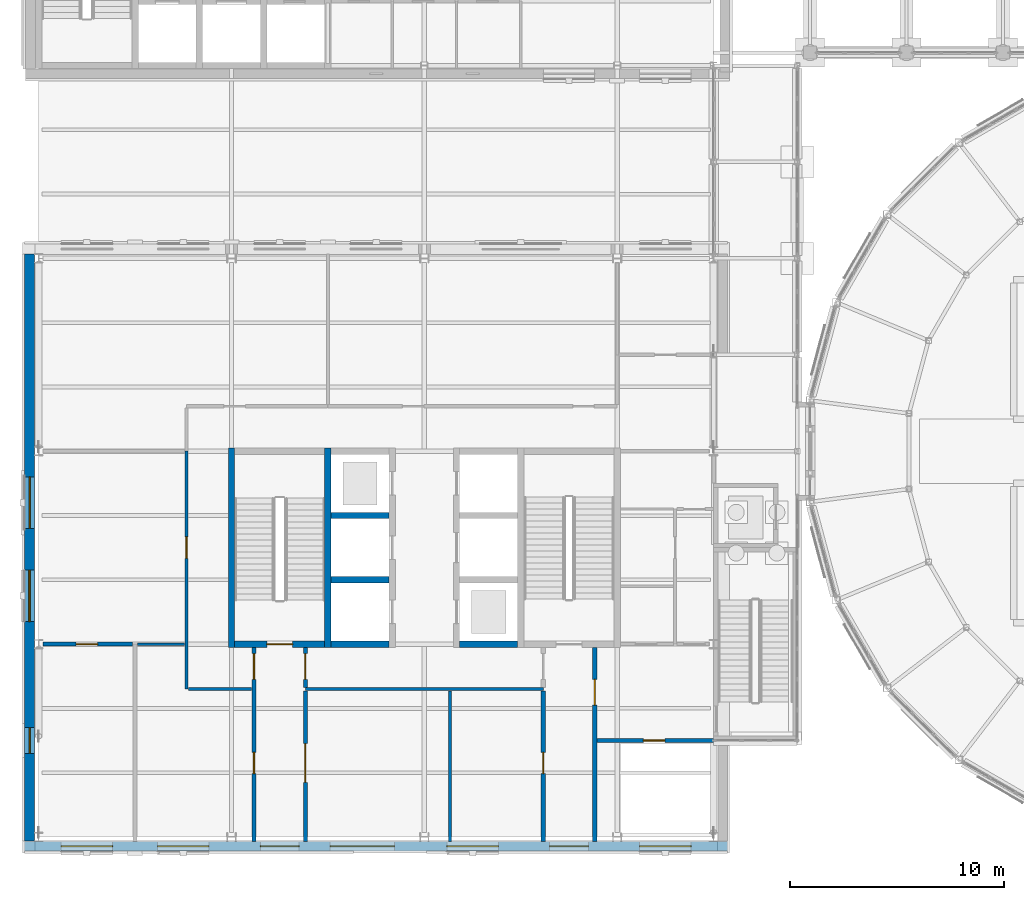
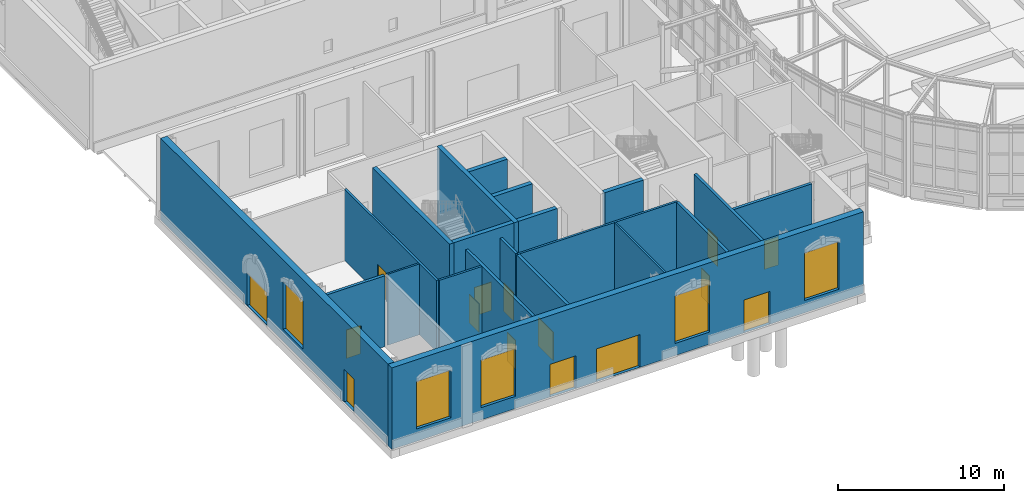
# One storey, part 67 of 106: 21 walls, 15 doors, 5 windows, 20 openings.
"""IFC4 building model written with IfcOpenShell, lengths in metres."""

from ifc_helpers import new_model, si_unit, direction, frame, frame_2d, origin, place, context, subcontext, project, spatial, rectangle, extrude, material, layer, layer_set, type_object, element, fill, save


model = new_model("IFC4")

# Units and contexts
model_context = context("Model", 3, precision=1e-05, world=origin(), true_north=direction((0.0, 1.0)))
body_context = subcontext(model_context, "Body", "Model", "MODEL_VIEW")
ifc_project = project(units=[si_unit("LENGTHUNIT", "METRE"), si_unit("AREAUNIT", "SQUARE_METRE"), si_unit("VOLUMEUNIT", "CUBIC_METRE"), si_unit("PLANEANGLEUNIT", "RADIAN"), si_unit("MASSUNIT", "GRAM", prefix="KILO")], contexts=[model_context])

# Site, building, storey
site_placement = place(None, origin())
site = spatial("IfcSite", under=ifc_project, at=site_placement, CompositionType="ELEMENT")
building_placement = place(site_placement, origin())
building = spatial("IfcBuilding", under=site, at=building_placement, Name="Hortulan Conservatory and Botanical Research Centre", CompositionType="ELEMENT")
storey_placement = place(building_placement, origin())
storey = spatial("IfcBuildingStorey", under=building, at=storey_placement, Name="L00", CompositionType="ELEMENT", Elevation=0.0)

# Wall, openings, doors
ifc_material_1 = material(Name="Fire-rated plasterboard on steel studs", Category="steel")
ifc_layer_1 = layer(ifc_material_1, 0.199951171875)
ifc_layer_set_1 = layer_set([ifc_layer_1], Name="Compartment Partition 200")
wall_type_1 = type_object("IfcWallType", Name="Compartment Partition 200", PredefinedType="PARTITIONING", material=ifc_layer_set_1)
wall_1_placement = place(storey_placement, frame((10.050048828125, -0.200927734375, 0.0), z_axis=(0.0, 0.0, 1.0), x_axis=(0.0, 1.0, 0.0)))
wall_1 = element("IfcWall", 1, at=wall_1_placement, inside=storey, type_object=wall_type_1, Name="Stair enclosure wall", PredefinedType="PARTITIONING", context=body_context, shape_type="SweptSolid", body=[
    extrude(rectangle(XDim=9.041015625, YDim=0.199951171875, at=frame_2d((4.5205078125, 0.0))), origin(), (0.0, 0.0, 1.0), 5.218017578125),
])
opening_1_placement = place(wall_1_placement, frame((7.551025390625, 0.0, 0.0)))
opening_1 = element("IfcOpeningElement", 2, at=opening_1_placement, cuts=wall_1, Name="Opening DT5", PredefinedType="OPENING", context=body_context, shape_type="SweptSolid", body=[
    extrude(rectangle(XDim=1.199951171875, YDim=2.10009765625, at=frame_2d((0.60009765625, 1.050048828125))), frame((0.0, 0.10986328125, 0.0), z_axis=(0.0, -1.0, 0.0), x_axis=(1.0, 0.0, 0.0)), (0.0, 0.0, 1.0), 0.219970703125),
])
opening_2_placement = place(wall_1_placement, frame((3.15087890625, 0.0, 0.0)))
opening_2 = element("IfcOpeningElement", 3, at=opening_2_placement, cuts=wall_1, Name="Opening DT1", PredefinedType="OPENING", context=body_context, shape_type="SweptSolid", body=[
    extrude(rectangle(XDim=1.0, YDim=2.10009765625, at=frame_2d((0.5, 1.050048828125))), frame((0.0, 0.10986328125, 0.0), z_axis=(0.0, -1.0, 0.0), x_axis=(1.0, 0.0, 0.0)), (0.0, 0.0, 1.0), 0.219970703125),
])
ifc_material_2 = material(Name="Timber door leaf in timber frame", Category="wood")
door_type_1 = type_object("IfcDoorType", Name="Single Door 1000x2100", OperationType="NOTDEFINED", PredefinedType="DOOR", material=ifc_material_2)
door_1_placement = place(opening_2_placement, origin())
door_1 = element("IfcDoor", 4, at=door_1_placement, inside=storey, type_object=door_type_1, Name="Door DT1 Security Control Room", OperationType="SINGLE_SWING_RIGHT", OverallHeight=2.10009765625, OverallWidth=1.0, PredefinedType="DOOR", context=body_context, shape_type="SweptSolid", body=[
    extrude(rectangle(XDim=1.0, YDim=2.10009765625, at=frame_2d((0.5, 1.050048828125))), frame((0.0, 0.02490234375, 0.0), z_axis=(0.0, -1.0, 0.0), x_axis=(1.0, 0.0, 0.0)), (0.0, 0.0, 1.0), 0.050048828125),
])
fill(opening_2, door_1)
ifc_material_3 = material(Name="Steel door leaf, insulated", Category="steel")
door_type_2 = type_object("IfcDoorType", Name="Stair Door 1200x2100 FRL -/120/30", OperationType="NOTDEFINED", PredefinedType="DOOR", material=ifc_material_3)
door_2_placement = place(opening_1_placement, frame((1.199951171875, 0.0, 0.0), z_axis=(0.0, 0.0, 1.0), x_axis=(-1.0, 0.0, 0.0)))
door_2 = element("IfcDoor", 5, at=door_2_placement, inside=storey, type_object=door_type_2, Name="Door DT5 Corridor South 1", OperationType="SINGLE_SWING_RIGHT", OverallHeight=2.10009765625, OverallWidth=1.199951171875, PredefinedType="DOOR", context=body_context, shape_type="SweptSolid", body=[
    extrude(rectangle(XDim=1.199951171875, YDim=2.10009765625, at=frame_2d((0.60009765625, 1.050048828125))), frame((0.0, 0.02490234375, 0.0), z_axis=(0.0, -1.0, 0.0), x_axis=(1.0, 0.0, 0.0)), (0.0, 0.0, 1.0), 0.050048828125),
])
fill(opening_1, door_2)

# Wall, opening, door
wall_2_placement = place(storey_placement, frame((12.449951171875, -0.200927734375, 0.0), z_axis=(0.0, 0.0, 1.0), x_axis=(0.0, 1.0, 0.0)))
wall_2 = element("IfcWall", 6, at=wall_2_placement, inside=storey, type_object=wall_type_1, Name="Stair enclosure wall", PredefinedType="PARTITIONING", context=body_context, shape_type="SweptSolid", body=[
    extrude(rectangle(XDim=7.015869140625, YDim=0.199951171875, at=frame_2d((3.5078125, 0.0))), origin(), (0.0, 0.0, 1.0), 5.218017578125),
])
opening_3_placement = place(wall_2_placement, frame((2.7509765625, 0.0, 0.0)))
opening_3 = element("IfcOpeningElement", 7, at=opening_3_placement, cuts=wall_2, Name="Opening DT2", PredefinedType="OPENING", context=body_context, shape_type="SweptSolid", body=[
    extrude(rectangle(XDim=1.800048828125, YDim=2.10009765625, at=frame_2d((0.89990234375, 1.050048828125))), frame((0.0, 0.10986328125, 0.0), z_axis=(0.0, -1.0, 0.0), x_axis=(1.0, 0.0, 0.0)), (0.0, 0.0, 1.0), 0.219970703125),
])
door_type_3 = type_object("IfcDoorType", Name="Double Door 1800x2100", OperationType="DOUBLE_DOOR_SINGLE_SWING", PredefinedType="DOOR", material=ifc_material_2)
door_3_placement = place(opening_3_placement, frame((1.800048828125, 0.0, 0.0), z_axis=(0.0, 0.0, 1.0), x_axis=(-1.0, 0.0, 0.0)))
door_3 = element("IfcDoor", 8, at=door_3_placement, inside=storey, type_object=door_type_3, Name="Door DT2 Goods Entrance Hall", OperationType="DOUBLE_DOOR_SINGLE_SWING", OverallHeight=2.10009765625, OverallWidth=1.800048828125, PredefinedType="DOOR", context=body_context, shape_type="SweptSolid", body=[
    extrude(rectangle(XDim=1.800048828125, YDim=2.10009765625, at=frame_2d((0.89990234375, 1.050048828125))), frame((0.0, 0.02490234375, 0.0), z_axis=(0.0, -1.0, 0.0), x_axis=(1.0, 0.0, 0.0)), (0.0, 0.0, 1.0), 0.050048828125),
])
fill(opening_3, door_3)

wall_3_placement = place(storey_placement, frame((12.449951171875, 6.985107421875, 0.0), z_axis=(0.0, 0.0, 1.0), x_axis=(0.0, 1.0, 0.0)))
wall_3 = element("IfcWall", 9, at=wall_3_placement, inside=storey, type_object=wall_type_1, Name="Stair enclosure wall", PredefinedType="PARTITIONING", context=body_context, shape_type="SweptSolid", body=[
    extrude(rectangle(XDim=1.85498046875, YDim=0.199951171875, at=frame_2d((0.927490234375, 0.0))), origin(), (0.0, 0.0, 1.0), 5.218017578125),
])
opening_4_placement = place(wall_3_placement, frame((0.364990234375, 0.0, 0.0)))
opening_4 = element("IfcOpeningElement", 10, at=opening_4_placement, cuts=wall_3, Name="Opening DT5", PredefinedType="OPENING", context=body_context, shape_type="SweptSolid", body=[
    extrude(rectangle(XDim=1.199951171875, YDim=2.10009765625, at=frame_2d((0.60009765625, 1.050048828125))), frame((0.0, 0.10986328125, 0.0), z_axis=(0.0, -1.0, 0.0), x_axis=(1.0, 0.0, 0.0)), (0.0, 0.0, 1.0), 0.219970703125),
])
door_4_placement = place(opening_4_placement, origin())
door_4 = element("IfcDoor", 11, at=door_4_placement, inside=storey, type_object=door_type_2, Name="Door DT5 Corridor South 2", OperationType="SINGLE_SWING_RIGHT", OverallHeight=2.10009765625, OverallWidth=1.199951171875, PredefinedType="DOOR", context=body_context, shape_type="SweptSolid", body=[
    extrude(rectangle(XDim=1.199951171875, YDim=2.10009765625, at=frame_2d((0.60009765625, 1.050048828125))), frame((0.0, 0.02490234375, 0.0), z_axis=(0.0, -1.0, 0.0), x_axis=(1.0, 0.0, 0.0)), (0.0, 0.0, 1.0), 0.050048828125),
])
fill(opening_4, door_4)

wall_4_placement = place(storey_placement, frame((23.550048828125, -0.200927734375, 0.0), z_axis=(0.0, 0.0, 1.0), x_axis=(0.0, 1.0, 0.0)))
wall_4 = element("IfcWall", 12, at=wall_4_placement, inside=storey, type_object=wall_type_1, Name="Stair enclosure wall", PredefinedType="PARTITIONING", context=body_context, shape_type="SweptSolid", body=[
    extrude(rectangle(XDim=7.015869140625, YDim=0.199951171875, at=frame_2d((3.5078125, 0.0))), origin(), (0.0, 0.0, 1.0), 5.218017578125),
])
opening_5_placement = place(wall_4_placement, frame((3.15087890625, 0.0, 0.0)))
opening_5 = element("IfcOpeningElement", 13, at=opening_5_placement, cuts=wall_4, Name="Opening DT1", PredefinedType="OPENING", context=body_context, shape_type="SweptSolid", body=[
    extrude(rectangle(XDim=1.0, YDim=2.10009765625, at=frame_2d((0.5, 1.050048828125))), frame((0.0, 0.10986328125, 0.0), z_axis=(0.0, -1.0, 0.0), x_axis=(1.0, 0.0, 0.0)), (0.0, 0.0, 1.0), 0.219970703125),
])
door_5_placement = place(opening_5_placement, origin())
door_5 = element("IfcDoor", 14, at=door_5_placement, inside=storey, type_object=door_type_1, Name="Door DT1 Botanical Illustration Gallery", OperationType="SINGLE_SWING_RIGHT", OverallHeight=2.10009765625, OverallWidth=1.0, PredefinedType="DOOR", context=body_context, shape_type="SweptSolid", body=[
    extrude(rectangle(XDim=1.0, YDim=2.10009765625, at=frame_2d((0.5, 1.050048828125))), frame((0.0, 0.02490234375, 0.0), z_axis=(0.0, -1.0, 0.0), x_axis=(1.0, 0.0, 0.0)), (0.0, 0.0, 1.0), 0.050048828125),
])
fill(opening_5, door_5)

wall_5_placement = place(storey_placement, frame((25.949951171875, -0.200927734375, 0.0), z_axis=(0.0, 0.0, 1.0), x_axis=(0.0, 1.0, 0.0)))
wall_5 = element("IfcWall", 15, at=wall_5_placement, inside=storey, type_object=wall_type_1, Name="Stair enclosure wall", PredefinedType="PARTITIONING", context=body_context, shape_type="SweptSolid", body=[
    extrude(rectangle(XDim=9.041015625, YDim=0.199951171875, at=frame_2d((4.5205078125, 0.0))), origin(), (0.0, 0.0, 1.0), 5.218017578125),
])
opening_6_placement = place(wall_5_placement, frame((6.35107421875, 0.0, 0.0)))
opening_6 = element("IfcOpeningElement", 16, at=opening_6_placement, cuts=wall_5, Name="Opening DT5", PredefinedType="OPENING", context=body_context, shape_type="SweptSolid", body=[
    extrude(rectangle(XDim=1.199951171875, YDim=2.10009765625, at=frame_2d((0.60009765625, 1.050048828125))), frame((0.0, 0.10986328125, 0.0), z_axis=(0.0, -1.0, 0.0), x_axis=(1.0, 0.0, 0.0)), (0.0, 0.0, 1.0), 0.219970703125),
])
door_6_placement = place(opening_6_placement, origin())
door_6 = element("IfcDoor", 17, at=door_6_placement, inside=storey, type_object=door_type_2, Name="Door DT5 Corridor South 3", OperationType="SINGLE_SWING_RIGHT", OverallHeight=2.10009765625, OverallWidth=1.199951171875, PredefinedType="DOOR", context=body_context, shape_type="SweptSolid", body=[
    extrude(rectangle(XDim=1.199951171875, YDim=2.10009765625, at=frame_2d((0.60009765625, 1.050048828125))), frame((0.0, 0.02490234375, 0.0), z_axis=(0.0, -1.0, 0.0), x_axis=(1.0, 0.0, 0.0)), (0.0, 0.0, 1.0), 0.050048828125),
])
fill(opening_6, door_6)

wall_6_placement = place(storey_placement, frame((26.06005859375, 4.5, 0.0), z_axis=(0.0, 0.0, 1.0), x_axis=(1.0, 0.0, 0.0)))
wall_6 = element("IfcWall", 18, at=wall_6_placement, inside=storey, type_object=wall_type_1, Name="Riser wall", PredefinedType="PARTITIONING", context=body_context, shape_type="SweptSolid", body=[
    extrude(rectangle(XDim=5.429931640625, YDim=0.199951171875, at=frame_2d((2.71484375, 0.0))), origin(), (0.0, 0.0, 1.0), 5.218017578125),
])
opening_7_placement = place(wall_6_placement, frame((2.1650390625, 0.0, 0.0)))
opening_7 = element("IfcOpeningElement", 19, at=opening_7_placement, cuts=wall_6, Name="Opening DT6", PredefinedType="OPENING", context=body_context, shape_type="SweptSolid", body=[
    extrude(rectangle(XDim=1.0, YDim=2.10009765625, at=frame_2d((0.5, 1.050048828125))), frame((0.0, 0.10986328125, 0.0), z_axis=(0.0, -1.0, 0.0), x_axis=(1.0, 0.0, 0.0)), (0.0, 0.0, 1.0), 0.219970703125),
])
door_type_4 = type_object("IfcDoorType", Name="Fire Door 1000x2100 FRL -/120/30", OperationType="NOTDEFINED", PredefinedType="DOOR", material=ifc_material_3)
door_7_placement = place(opening_7_placement, frame((1.0, 0.0, 0.0), z_axis=(0.0, 0.0, 1.0), x_axis=(-1.0, 0.0, 0.0)))
door_7 = element("IfcDoor", 20, at=door_7_placement, inside=storey, type_object=door_type_4, Name="Door DT6 Services Riser", OperationType="SINGLE_SWING_LEFT", OverallHeight=2.10009765625, OverallWidth=1.0, PredefinedType="DOOR", context=body_context, shape_type="SweptSolid", body=[
    extrude(rectangle(XDim=1.0, YDim=2.10009765625, at=frame_2d((0.5, 1.050048828125))), frame((0.0, 0.02490234375, 0.0), z_axis=(0.0, -1.0, 0.0), x_axis=(1.0, 0.0, 0.0)), (0.0, 0.0, 1.0), 0.050048828125),
])
fill(opening_7, door_7)

# Walls
ifc_material_4 = material(Name="Concrete N50 (50 MPa, AS 3600)", Category="concrete")
ifc_layer_2 = layer(ifc_material_4, 0.300048828125)
ifc_layer_set_2 = layer_set([ifc_layer_2], Name="Core Wall 300 N50 FRL 240/120/120")
wall_type_2 = type_object("IfcWallType", Name="Core Wall 300 N50 FRL 240/120/120", PredefinedType="SHEAR", material=ifc_layer_set_2)
for number, where, z_axis, x_axis, name in (
    (21, (9.0, 8.85009765625, 0.0), (0.0, 0.0, 1.0), (0.0, 1.0, 0.0), "Reinforced concrete shaft wall"),
    (22, (13.5, 8.85009765625, 0.0), (0.0, 0.0, 1.0), (0.0, 1.0, 0.0), "Reinforced concrete shaft wall"),
):
    element("IfcWall", number, at=place(storey_placement, frame(where, z_axis=z_axis, x_axis=x_axis)), inside=storey, type_object=wall_type_2, Name=name, PredefinedType="SHEAR", context=body_context, shape_type="SweptSolid", body=[
        extrude(rectangle(XDim=9.2998046875, YDim=0.300048828125, at=frame_2d((4.64990234375, 0.0))), origin(), (0.0, 0.0, 1.0), 6.0),
    ])

# Wall, opening, door
wall_7_placement = place(storey_placement, frame((9.14990234375, 9.0, 0.0), z_axis=(0.0, 0.0, 1.0), x_axis=(1.0, 0.0, 0.0)))
wall_7 = element("IfcWall", 23, at=wall_7_placement, inside=storey, type_object=wall_type_2, Name="Reinforced concrete shaft wall", PredefinedType="SHEAR", context=body_context, shape_type="SweptSolid", body=[
    extrude(rectangle(XDim=4.2001953125, YDim=0.300048828125, at=frame_2d((2.10009765625, 0.0))), origin(), (0.0, 0.0, 1.0), 6.0),
])
opening_8_placement = place(wall_7_placement, frame((1.5, 0.0, 0.0)))
opening_8 = element("IfcOpeningElement", 24, at=opening_8_placement, cuts=wall_7, Name="Opening DT5", PredefinedType="OPENING", context=body_context, shape_type="SweptSolid", body=[
    extrude(rectangle(XDim=1.199951171875, YDim=2.10009765625, at=frame_2d((0.60009765625, 1.050048828125))), frame((0.0, 0.159912109375, 0.0), z_axis=(0.0, -1.0, 0.0), x_axis=(1.0, 0.0, 0.0)), (0.0, 0.0, 1.0), 0.320068359375),
])
door_8_placement = place(opening_8_placement, origin())
door_8 = element("IfcDoor", 25, at=door_8_placement, inside=storey, type_object=door_type_2, Name="Door DT5 Exit Stair T1", OperationType="SINGLE_SWING_RIGHT", OverallHeight=2.10009765625, OverallWidth=1.199951171875, PredefinedType="DOOR", context=body_context, shape_type="SweptSolid", body=[
    extrude(rectangle(XDim=1.199951171875, YDim=2.10009765625, at=frame_2d((0.60009765625, 1.050048828125))), frame((0.0, 0.02490234375, 0.0), z_axis=(0.0, -1.0, 0.0), x_axis=(1.0, 0.0, 0.0)), (0.0, 0.0, 1.0), 0.050048828125),
])
fill(opening_8, door_8)

# Walls
for number, where, z_axis, x_axis, name in (
    (26, (13.64990234375, 9.0, 0.0), (0.0, 0.0, 1.0), (1.0, 0.0, 0.0), "Reinforced concrete shaft wall"),
    (27, (19.64990234375, 9.0, 0.0), (0.0, 0.0, 1.0), (1.0, 0.0, 0.0), "Reinforced concrete shaft wall"),
    (28, (13.64990234375, 12.0, 0.0), (0.0, 0.0, 1.0), (1.0, 0.0, 0.0), "Reinforced concrete shaft wall"),
    (29, (13.64990234375, 15.0, 0.0), (0.0, 0.0, 1.0), (1.0, 0.0, 0.0), "Reinforced concrete shaft wall"),
):
    element("IfcWall", number, at=place(storey_placement, frame(where, z_axis=z_axis, x_axis=x_axis)), inside=storey, type_object=wall_type_2, Name=name, PredefinedType="SHEAR", context=body_context, shape_type="SweptSolid", body=[
        extrude(rectangle(XDim=2.7001953125, YDim=0.300048828125, at=frame_2d((1.35009765625, 0.0))), origin(), (0.0, 0.0, 1.0), 6.0),
    ])

# Wall, opening, door
ifc_material_5 = material(Name="Plasterboard on steel studs", Category="steel")
ifc_layer_3 = layer(ifc_material_5, 0.14990234375)
ifc_layer_set_3 = layer_set([ifc_layer_3], Name="Corridor Partition 150")
wall_type_3 = type_object("IfcWallType", Name="Corridor Partition 150", PredefinedType="PARTITIONING", material=ifc_layer_set_3)
wall_8_placement = place(storey_placement, frame((6.89990234375, 6.89990234375, 0.0), z_axis=(0.0, 0.0, 1.0), x_axis=(0.0, 1.0, 0.0)))
wall_8 = element("IfcWall", 30, at=wall_8_placement, inside=storey, type_object=wall_type_3, Name="Corridor partition", PredefinedType="PARTITIONING", context=body_context, shape_type="SweptSolid", body=[
    extrude(rectangle(XDim=11.10009765625, YDim=0.14990234375, at=frame_2d((5.550048828125, 0.0))), origin(), (0.0, 0.0, 1.0), 5.218017578125),
])
opening_9_placement = place(wall_8_placement, frame((6.10009765625, 0.0, 0.0)))
opening_9 = element("IfcOpeningElement", 31, at=opening_9_placement, cuts=wall_8, Name="Opening DT1", PredefinedType="OPENING", context=body_context, shape_type="SweptSolid", body=[
    extrude(rectangle(XDim=1.0, YDim=2.10009765625, at=frame_2d((0.5, 1.050048828125))), frame((0.0, 0.0849609375, 0.0), z_axis=(0.0, -1.0, 0.0), x_axis=(1.0, 0.0, 0.0)), (0.0, 0.0, 1.0), 0.169921875),
])
door_9_placement = place(opening_9_placement, origin())
door_9 = element("IfcDoor", 32, at=door_9_placement, inside=storey, type_object=door_type_1, Name="Door DT1 Tower Reception and Information", OperationType="SINGLE_SWING_RIGHT", OverallHeight=2.10009765625, OverallWidth=1.0, PredefinedType="DOOR", context=body_context, shape_type="SweptSolid", body=[
    extrude(rectangle(XDim=1.0, YDim=2.10009765625, at=frame_2d((0.5, 1.050048828125))), frame((0.0, 0.02490234375, 0.0), z_axis=(0.0, -1.0, 0.0), x_axis=(1.0, 0.0, 0.0)), (0.0, 0.0, 1.0), 0.050048828125),
])
fill(opening_9, door_9)

# Walls
wall_9_placement = place(storey_placement, frame((6.985107421875, 6.89990234375, 0.0), z_axis=(0.0, 0.0, 1.0), x_axis=(1.0, 0.0, 0.0)))
element("IfcWall", 33, at=wall_9_placement, inside=storey, type_object=wall_type_3, Name="Corridor partition", PredefinedType="PARTITIONING", context=body_context, shape_type="SweptSolid", body=[
    extrude(rectangle(XDim=2.954833984375, YDim=0.14990234375, at=frame_2d((1.4775390625, 0.0))), origin(), (0.0, 0.0, 1.0), 5.218017578125),
])
wall_10_placement = place(storey_placement, frame((12.449951171875, 6.89990234375, 0.0), z_axis=(0.0, 0.0, 1.0), x_axis=(1.0, 0.0, 0.0)))
element("IfcWall", 34, at=wall_10_placement, inside=storey, type_object=wall_type_3, Name="Corridor partition", PredefinedType="PARTITIONING", context=body_context, shape_type="SweptSolid", body=[
    extrude(rectangle(XDim=11.10009765625, YDim=0.14990234375, at=frame_2d((5.550048828125, 0.0))), origin(), (0.0, 0.0, 1.0), 5.218017578125),
])

# Wall, opening, door
ifc_material_6 = material(Name="Concrete masonry block, grade 20 (20 MPa, AS 3700)", Category="masonry")
ifc_layer_4 = layer(ifc_material_6, 0.199951171875)
ifc_layer_set_4 = layer_set([ifc_layer_4], Name="Fire Control Room Wall 200")
wall_type_4 = type_object("IfcWallType", Name="Fire Control Room Wall 200", PredefinedType="PARTITIONING", material=ifc_layer_set_4)
wall_11_placement = place(storey_placement, frame((0.2099609375, 9.0, 0.0), z_axis=(0.0, 0.0, 1.0), x_axis=(1.0, 0.0, 0.0)))
wall_11 = element("IfcWall", 35, at=wall_11_placement, inside=storey, type_object=wall_type_4, Name="Fire control room wall", PredefinedType="PARTITIONING", context=body_context, shape_type="SweptSolid", body=[
    extrude(rectangle(XDim=4.179931640625, YDim=0.199951171875, at=frame_2d((2.08984375, 0.0))), origin(), (0.0, 0.0, 1.0), 5.218017578125),
])
opening_10_placement = place(wall_11_placement, frame((1.5400390625, 0.0, 0.0)))
opening_10 = element("IfcOpeningElement", 36, at=opening_10_placement, cuts=wall_11, Name="Opening DT9", PredefinedType="OPENING", context=body_context, shape_type="SweptSolid", body=[
    extrude(rectangle(XDim=1.0, YDim=2.10009765625, at=frame_2d((0.5, 1.050048828125))), frame((0.0, 0.10986328125, 0.0), z_axis=(0.0, -1.0, 0.0), x_axis=(1.0, 0.0, 0.0)), (0.0, 0.0, 1.0), 0.219970703125),
])
door_type_5 = type_object("IfcDoorType", Name="Fire Control Room Door 1000x2100 FRL -/120/30", OperationType="NOTDEFINED", PredefinedType="DOOR", material=ifc_material_3)
door_10_placement = place(opening_10_placement, origin())
door_10 = element("IfcDoor", 37, at=door_10_placement, inside=storey, type_object=door_type_5, Name="Door DT9 Fire Control Room", OperationType="SINGLE_SWING_LEFT", OverallHeight=2.10009765625, OverallWidth=1.0, PredefinedType="DOOR", context=body_context, shape_type="SweptSolid", body=[
    extrude(rectangle(XDim=1.0, YDim=2.10009765625, at=frame_2d((0.5, 1.050048828125))), frame((0.0, 0.02490234375, 0.0), z_axis=(0.0, -1.0, 0.0), x_axis=(1.0, 0.0, 0.0)), (0.0, 0.0, 1.0), 0.050048828125),
])
fill(opening_10, door_10)

# Walls
ifc_layer_5 = layer(ifc_material_5, 0.125)
ifc_layer_set_5 = layer_set([ifc_layer_5], Name="Partition 125")
wall_type_5 = type_object("IfcWallType", Name="Partition 125", PredefinedType="PARTITIONING", material=ifc_layer_set_5)
wall_12_placement = place(storey_placement, frame((19.199951171875, -0.200927734375, 0.0), z_axis=(0.0, 0.0, 1.0), x_axis=(0.0, 1.0, 0.0)))
element("IfcWall", 38, at=wall_12_placement, inside=storey, type_object=wall_type_5, Name="Partition", PredefinedType="PARTITIONING", context=body_context, shape_type="SweptSolid", body=[
    extrude(rectangle(XDim=7.015869140625, YDim=0.125, at=frame_2d((3.5078125, 0.0))), origin(), (0.0, 0.0, 1.0), 5.218017578125),
])
wall_13_placement = place(storey_placement, frame((4.610107421875, 9.0, 0.0), z_axis=(0.0, 0.0, 1.0), x_axis=(1.0, 0.0, 0.0)))
element("IfcWall", 39, at=wall_13_placement, inside=storey, type_object=wall_type_5, Name="Partition", PredefinedType="PARTITIONING", context=body_context, shape_type="SweptSolid", body=[
    extrude(rectangle(XDim=2.204833984375, YDim=0.125, at=frame_2d((1.1025390625, 0.0))), origin(), (0.0, 0.0, 1.0), 5.218017578125),
])

# Wall, openings, doors, windows
ifc_material_7 = material(Name="Sandstone masonry (Hawkesbury yellow block)", Category="masonry")
ifc_layer_6 = layer(ifc_material_7, 0.449951171875)
ifc_layer_set_6 = layer_set([ifc_layer_6], Name="Sandstone Masonry Cavity Wall 450")
wall_type_6 = type_object("IfcWallType", Name="Sandstone Masonry Cavity Wall 450", PredefinedType="STANDARD", material=ifc_layer_set_6)
wall_14_placement = place(storey_placement, frame((32.14990234375, -0.43603515625, 0.0), z_axis=(0.0, 0.0, 1.0), x_axis=(-1.0, 0.0, 0.0)))
wall_14 = element("IfcWall", 40, at=wall_14_placement, inside=storey, type_object=wall_type_6, Name="E-EW-TW-L00-S1", PredefinedType="STANDARD", context=body_context, shape_type="SweptSolid", body=[
    extrude(rectangle(XDim=32.7998046875, YDim=0.449951171875, at=frame_2d((16.39990234375, 0.0))), origin(), (0.0, 0.0, 1.0), 6.0),
])
opening_11_placement = place(wall_14_placement, frame((15.550048828125, 0.0, 0.011962890625)))
opening_11 = element("IfcOpeningElement", 41, at=opening_11_placement, cuts=wall_14, Name="Opening ED1", PredefinedType="OPENING", context=body_context, shape_type="SweptSolid", body=[
    extrude(rectangle(XDim=3.0, YDim=2.39990234375, at=frame_2d((1.5, 1.199951171875))), frame((0.0, 0.23486328125, 0.0), z_axis=(0.0, -1.0, 0.0), x_axis=(1.0, 0.0, 0.0)), (0.0, 0.0, 1.0), 0.469970703125),
])
opening_12_placement = place(wall_14_placement, frame((20.0, 0.0, 0.011962890625)))
opening_12 = element("IfcOpeningElement", 42, at=opening_12_placement, cuts=wall_14, Name="Opening ED2", PredefinedType="OPENING", context=body_context, shape_type="SweptSolid", body=[
    extrude(rectangle(XDim=1.800048828125, YDim=2.39990234375, at=frame_2d((0.89990234375, 1.199951171875))), frame((0.0, 0.23486328125, 0.0), z_axis=(0.0, -1.0, 0.0), x_axis=(1.0, 0.0, 0.0)), (0.0, 0.0, 1.0), 0.469970703125),
])
opening_13_placement = place(wall_14_placement, frame((6.5, 0.0, 0.011962890625)))
opening_13 = element("IfcOpeningElement", 43, at=opening_13_placement, cuts=wall_14, Name="Opening ED2", PredefinedType="OPENING", context=body_context, shape_type="SweptSolid", body=[
    extrude(rectangle(XDim=1.800048828125, YDim=2.39990234375, at=frame_2d((0.89990234375, 1.199951171875))), frame((0.0, 0.23486328125, 0.0), z_axis=(0.0, -1.0, 0.0), x_axis=(1.0, 0.0, 0.0)), (0.0, 0.0, 1.0), 0.469970703125),
])
opening_14_placement = place(wall_14_placement, frame((28.699951171875, 0.0, 0.89990234375)))
opening_14 = element("IfcOpeningElement", 44, at=opening_14_placement, cuts=wall_14, Name="Opening W1", PredefinedType="OPENING", context=body_context, shape_type="SweptSolid", body=[
    extrude(rectangle(XDim=2.39990234375, YDim=3.5, at=frame_2d((1.199951171875, 1.75))), frame((0.0, 0.23486328125, 0.0), z_axis=(0.0, -1.0, 0.0), x_axis=(1.0, 0.0, 0.0)), (0.0, 0.0, 1.0), 0.469970703125),
])
opening_15_placement = place(wall_14_placement, frame((24.199951171875, 0.0, 0.89990234375)))
opening_15 = element("IfcOpeningElement", 45, at=opening_15_placement, cuts=wall_14, Name="Opening W1", PredefinedType="OPENING", context=body_context, shape_type="SweptSolid", body=[
    extrude(rectangle(XDim=2.39990234375, YDim=3.5, at=frame_2d((1.199951171875, 1.75))), frame((0.0, 0.23486328125, 0.0), z_axis=(0.0, -1.0, 0.0), x_axis=(1.0, 0.0, 0.0)), (0.0, 0.0, 1.0), 0.469970703125),
])
opening_16_placement = place(wall_14_placement, frame((10.699951171875, 0.0, 0.89990234375)))
opening_16 = element("IfcOpeningElement", 46, at=opening_16_placement, cuts=wall_14, Name="Opening W1", PredefinedType="OPENING", context=body_context, shape_type="SweptSolid", body=[
    extrude(rectangle(XDim=2.39990234375, YDim=3.5, at=frame_2d((1.199951171875, 1.75))), frame((0.0, 0.23486328125, 0.0), z_axis=(0.0, -1.0, 0.0), x_axis=(1.0, 0.0, 0.0)), (0.0, 0.0, 1.0), 0.469970703125),
])
opening_17_placement = place(wall_14_placement, frame((1.699951171875, 0.0, 0.89990234375)))
opening_17 = element("IfcOpeningElement", 47, at=opening_17_placement, cuts=wall_14, Name="Opening W1", PredefinedType="OPENING", context=body_context, shape_type="SweptSolid", body=[
    extrude(rectangle(XDim=2.39990234375, YDim=3.5, at=frame_2d((1.199951171875, 1.75))), frame((0.0, 0.23486328125, 0.0), z_axis=(0.0, -1.0, 0.0), x_axis=(1.0, 0.0, 0.0)), (0.0, 0.0, 1.0), 0.469970703125),
])
ifc_material_8 = material(Name="Bronze and toughened laminated glass", Category="glass")
door_type_6 = type_object("IfcDoorType", Name="Exit Door Pair 1800x2400", OperationType="DOUBLE_DOOR_DOUBLE_SWING", PredefinedType="DOOR", material=ifc_material_8)
door_11_placement = place(opening_12_placement, origin())
door_11 = element("IfcDoor", 48, at=door_11_placement, inside=storey, type_object=door_type_6, Name="Exit door", OperationType="DOUBLE_DOOR_DOUBLE_SWING", OverallHeight=2.39990234375, OverallWidth=1.800048828125, PredefinedType="DOOR", context=body_context, shape_type="SweptSolid", body=[
    extrude(rectangle(XDim=1.800048828125, YDim=2.39990234375, at=frame_2d((0.89990234375, 1.199951171875))), frame((0.0, 0.02490234375, 0.0), z_axis=(0.0, -1.0, 0.0), x_axis=(1.0, 0.0, 0.0)), (0.0, 0.0, 1.0), 0.050048828125),
])
fill(opening_12, door_11)
door_12_placement = place(opening_13_placement, origin())
door_12 = element("IfcDoor", 49, at=door_12_placement, inside=storey, type_object=door_type_6, Name="Exit door", OperationType="DOUBLE_DOOR_DOUBLE_SWING", OverallHeight=2.39990234375, OverallWidth=1.800048828125, PredefinedType="DOOR", context=body_context, shape_type="SweptSolid", body=[
    extrude(rectangle(XDim=1.800048828125, YDim=2.39990234375, at=frame_2d((0.89990234375, 1.199951171875))), frame((0.0, 0.02490234375, 0.0), z_axis=(0.0, -1.0, 0.0), x_axis=(1.0, 0.0, 0.0)), (0.0, 0.0, 1.0), 0.050048828125),
])
fill(opening_13, door_12)
ifc_material_9 = material(Name="Bronze-finished aluminium frame with low-e laminated double glazing", Category="aluminium")
window_type = type_object("IfcWindowType", Name="Sandstone Window 2400x3500", PartitioningType="SINGLE_PANEL", PredefinedType="WINDOW", material=ifc_material_9)
window_1_placement = place(opening_14_placement, origin())
window_1 = element("IfcWindow", 50, at=window_1_placement, inside=storey, type_object=window_type, Name="Sandstone window", OverallHeight=3.5, OverallWidth=2.39990234375, PartitioningType="SINGLE_PANEL", PredefinedType="WINDOW", context=body_context, shape_type="SweptSolid", body=[
    extrude(rectangle(XDim=2.39990234375, YDim=3.5, at=frame_2d((1.199951171875, 1.75))), frame((0.0, 0.030029296875, 0.0), z_axis=(0.0, -1.0, 0.0), x_axis=(1.0, 0.0, 0.0)), (0.0, 0.0, 1.0), 0.06005859375),
])
fill(opening_14, window_1)
window_2_placement = place(opening_15_placement, origin())
window_2 = element("IfcWindow", 51, at=window_2_placement, inside=storey, type_object=window_type, Name="Sandstone window", OverallHeight=3.5, OverallWidth=2.39990234375, PartitioningType="SINGLE_PANEL", PredefinedType="WINDOW", context=body_context, shape_type="SweptSolid", body=[
    extrude(rectangle(XDim=2.39990234375, YDim=3.5, at=frame_2d((1.199951171875, 1.75))), frame((0.0, 0.030029296875, 0.0), z_axis=(0.0, -1.0, 0.0), x_axis=(1.0, 0.0, 0.0)), (0.0, 0.0, 1.0), 0.06005859375),
])
fill(opening_15, window_2)
window_3_placement = place(opening_16_placement, origin())
window_3 = element("IfcWindow", 52, at=window_3_placement, inside=storey, type_object=window_type, Name="Sandstone window", OverallHeight=3.5, OverallWidth=2.39990234375, PartitioningType="SINGLE_PANEL", PredefinedType="WINDOW", context=body_context, shape_type="SweptSolid", body=[
    extrude(rectangle(XDim=2.39990234375, YDim=3.5, at=frame_2d((1.199951171875, 1.75))), frame((0.0, 0.030029296875, 0.0), z_axis=(0.0, -1.0, 0.0), x_axis=(1.0, 0.0, 0.0)), (0.0, 0.0, 1.0), 0.06005859375),
])
fill(opening_16, window_3)
window_4_placement = place(opening_17_placement, origin())
window_4 = element("IfcWindow", 53, at=window_4_placement, inside=storey, type_object=window_type, Name="Sandstone window", OverallHeight=3.5, OverallWidth=2.39990234375, PartitioningType="SINGLE_PANEL", PredefinedType="WINDOW", context=body_context, shape_type="SweptSolid", body=[
    extrude(rectangle(XDim=2.39990234375, YDim=3.5, at=frame_2d((1.199951171875, 1.75))), frame((0.0, 0.030029296875, 0.0), z_axis=(0.0, -1.0, 0.0), x_axis=(1.0, 0.0, 0.0)), (0.0, 0.0, 1.0), 0.06005859375),
])
fill(opening_17, window_4)
door_type_7 = type_object("IfcDoorType", Name="Service Door Pair 3000x2400", OperationType="DOUBLE_DOOR_DOUBLE_SWING", PredefinedType="DOOR", material=ifc_material_8)
door_13_placement = place(opening_11_placement, origin())
door_13 = element("IfcDoor", 54, at=door_13_placement, inside=storey, type_object=door_type_7, Name="Service door", OperationType="DOUBLE_DOOR_DOUBLE_SWING", OverallHeight=2.39990234375, OverallWidth=3.0, PredefinedType="DOOR", context=body_context, shape_type="SweptSolid", body=[
    extrude(rectangle(XDim=3.0, YDim=2.39990234375, at=frame_2d((1.5, 1.199951171875))), frame((0.0, 0.02490234375, 0.0), z_axis=(0.0, -1.0, 0.0), x_axis=(1.0, 0.0, 0.0)), (0.0, 0.0, 1.0), 0.050048828125),
])
fill(opening_11, door_13)

# Wall, openings, doors, window
wall_15_placement = place(storey_placement, frame((-0.425048828125, -0.199951171875, 0.0), z_axis=(0.0, 0.0, 1.0), x_axis=(0.0, 1.0, 0.0)))
wall_15 = element("IfcWall", 55, at=wall_15_placement, inside=storey, type_object=wall_type_6, Name="E-EW-TW-L00-W2", PredefinedType="STANDARD", context=body_context, shape_type="SweptSolid", body=[
    extrude(rectangle(XDim=27.39990234375, YDim=0.449951171875, at=frame_2d((13.699951171875, 0.0))), origin(), (0.0, 0.0, 1.0), 6.0),
])
opening_18_placement = place(wall_15_placement, frame((14.60009765625, 0.0, 0.011962890625)))
opening_18 = element("IfcOpeningElement", 56, at=opening_18_placement, cuts=wall_15, Name="Opening ED3", PredefinedType="OPENING", context=body_context, shape_type="SweptSolid", body=[
    extrude(rectangle(XDim=2.39990234375, YDim=2.39990234375, at=frame_2d((1.199951171875, 1.199951171875))), frame((0.0, 0.23486328125, 0.0), z_axis=(0.0, -1.0, 0.0), x_axis=(1.0, 0.0, 0.0)), (0.0, 0.0, 1.0), 0.469970703125),
])
opening_19_placement = place(wall_15_placement, frame((4.10009765625, 0.0, 0.011962890625)))
opening_19 = element("IfcOpeningElement", 57, at=opening_19_placement, cuts=wall_15, Name="Opening ED4", PredefinedType="OPENING", context=body_context, shape_type="SweptSolid", body=[
    extrude(rectangle(XDim=1.199951171875, YDim=2.39990234375, at=frame_2d((0.60009765625, 1.199951171875))), frame((0.0, 0.23486328125, 0.0), z_axis=(0.0, -1.0, 0.0), x_axis=(1.0, 0.0, 0.0)), (0.0, 0.0, 1.0), 0.469970703125),
])
opening_20_placement = place(wall_15_placement, frame((10.25, 0.0, 0.89990234375)))
opening_20 = element("IfcOpeningElement", 58, at=opening_20_placement, cuts=wall_15, Name="Opening W1", PredefinedType="OPENING", context=body_context, shape_type="SweptSolid", body=[
    extrude(rectangle(XDim=2.39990234375, YDim=3.5, at=frame_2d((1.199951171875, 1.75))), frame((0.0, 0.23486328125, 0.0), z_axis=(0.0, -1.0, 0.0), x_axis=(1.0, 0.0, 0.0)), (0.0, 0.0, 1.0), 0.469970703125),
])
door_type_8 = type_object("IfcDoorType", Name="Glazed Door Pair 1200x2400", OperationType="DOUBLE_DOOR_DOUBLE_SWING", PredefinedType="DOOR", material=ifc_material_8)
door_14_placement = place(opening_19_placement, origin())
door_14 = element("IfcDoor", 59, at=door_14_placement, inside=storey, type_object=door_type_8, Name="Entrance door", OperationType="DOUBLE_DOOR_DOUBLE_SWING", OverallHeight=2.39990234375, OverallWidth=1.199951171875, PredefinedType="DOOR", context=body_context, shape_type="SweptSolid", body=[
    extrude(rectangle(XDim=1.199951171875, YDim=2.39990234375, at=frame_2d((0.60009765625, 1.199951171875))), frame((0.0, 0.02490234375, 0.0), z_axis=(0.0, -1.0, 0.0), x_axis=(1.0, 0.0, 0.0)), (0.0, 0.0, 1.0), 0.050048828125),
])
fill(opening_19, door_14)
door_type_9 = type_object("IfcDoorType", Name="Glazed Door Pair 2400x2400", OperationType="DOUBLE_DOOR_DOUBLE_SWING", PredefinedType="DOOR", material=ifc_material_8)
door_15_placement = place(opening_18_placement, origin())
door_15 = element("IfcDoor", 60, at=door_15_placement, inside=storey, type_object=door_type_9, Name="Entrance door", OperationType="DOUBLE_DOOR_DOUBLE_SWING", OverallHeight=2.39990234375, OverallWidth=2.39990234375, PredefinedType="DOOR", context=body_context, shape_type="SweptSolid", body=[
    extrude(rectangle(XDim=2.39990234375, YDim=2.39990234375, at=frame_2d((1.199951171875, 1.199951171875))), frame((0.0, 0.02490234375, 0.0), z_axis=(0.0, -1.0, 0.0), x_axis=(1.0, 0.0, 0.0)), (0.0, 0.0, 1.0), 0.050048828125),
])
fill(opening_18, door_15)
window_5_placement = place(opening_20_placement, origin())
window_5 = element("IfcWindow", 61, at=window_5_placement, inside=storey, type_object=window_type, Name="Sandstone window", OverallHeight=3.5, OverallWidth=2.39990234375, PartitioningType="SINGLE_PANEL", PredefinedType="WINDOW", context=body_context, shape_type="SweptSolid", body=[
    extrude(rectangle(XDim=2.39990234375, YDim=3.5, at=frame_2d((1.199951171875, 1.75))), frame((0.0, 0.030029296875, 0.0), z_axis=(0.0, -1.0, 0.0), x_axis=(1.0, 0.0, 0.0)), (0.0, 0.0, 1.0), 0.06005859375),
])
fill(opening_20, window_5)

save(model, "model.ifc")
